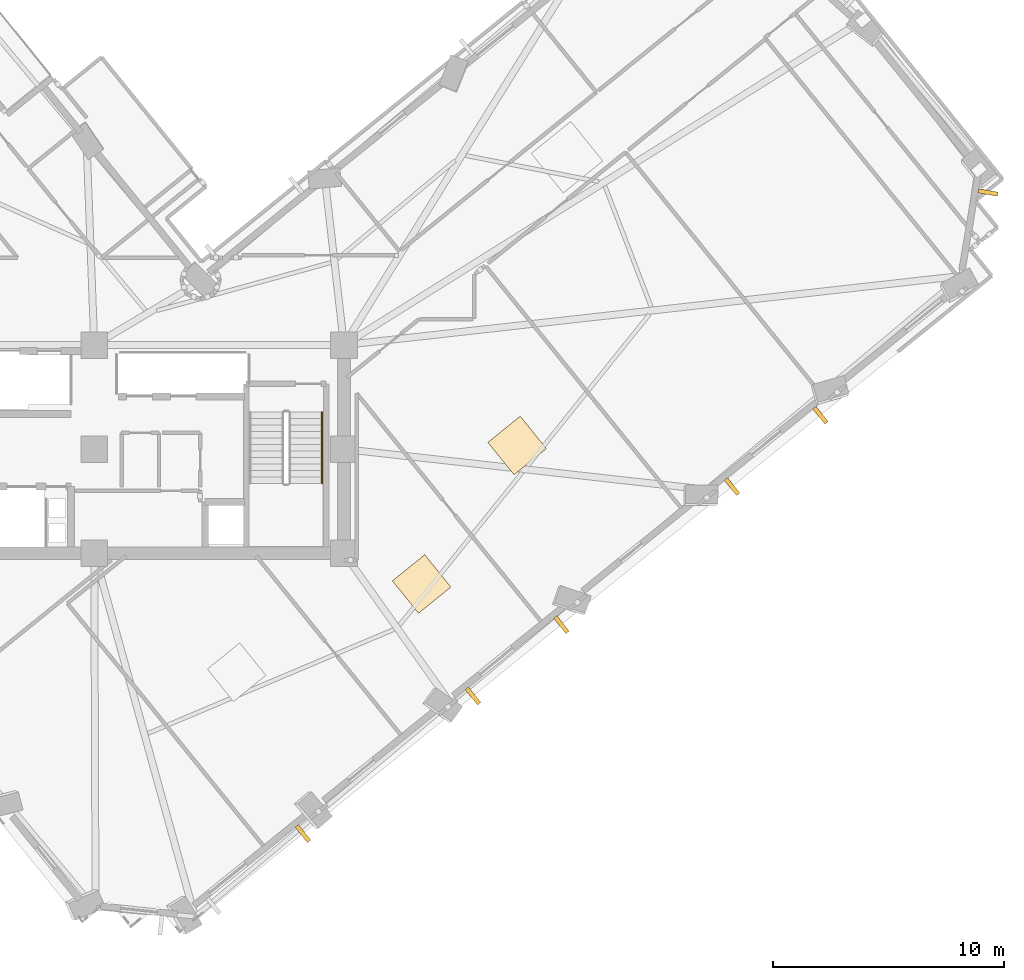
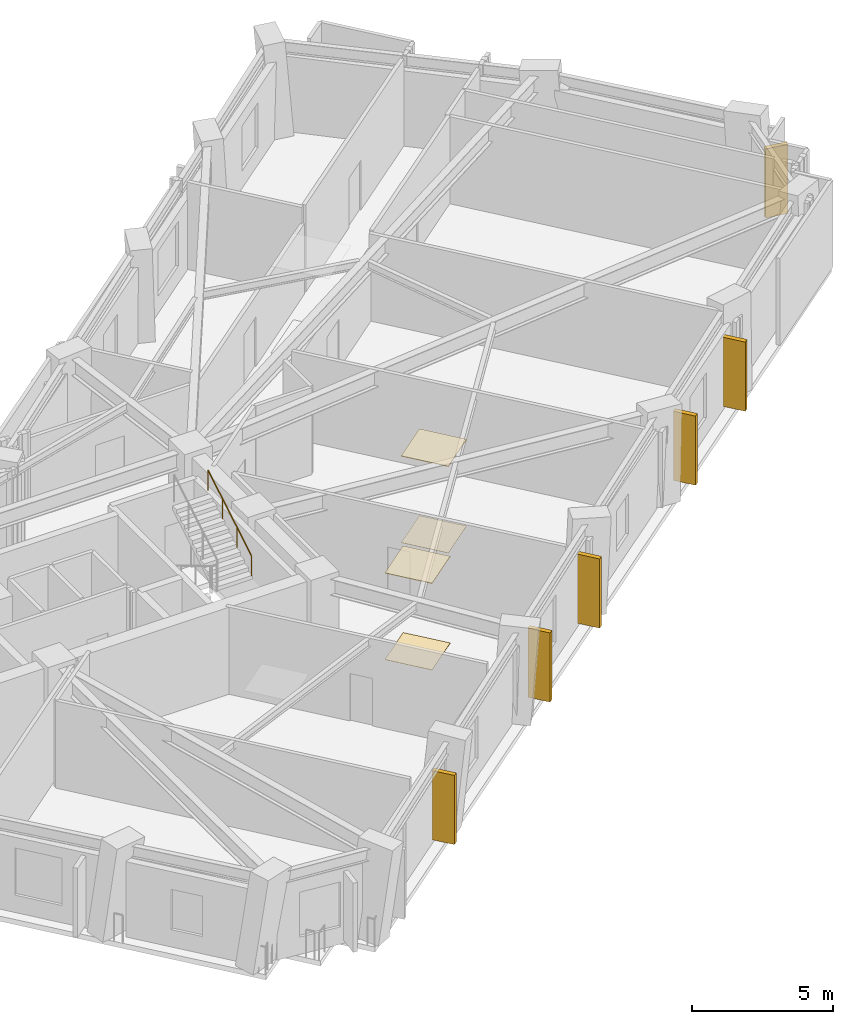
# One storey, part 12 of 14: 6 shading devices, 4 coverings, 1 railing.
"""IFC4 building model written with IfcOpenShell, lengths in metres."""

from ifc_helpers import new_model, si_unit, direction, frame, origin, origin_2d, place, context, subcontext, project, spatial, rectangle, circle, extrude, material, layer, layer_set, type_object, element, save


model = new_model("IFC4")

# Units and contexts
model_context = context("Model", 3, precision=1e-05, world=origin(), true_north=direction((0.0, 1.0)))
body_context = subcontext(model_context, "Body", "Model", "MODEL_VIEW")
ifc_project = project(units=[si_unit("LENGTHUNIT", "METRE"), si_unit("AREAUNIT", "SQUARE_METRE"), si_unit("VOLUMEUNIT", "CUBIC_METRE"), si_unit("PLANEANGLEUNIT", "RADIAN"), si_unit("MASSUNIT", "GRAM", prefix="KILO")], contexts=[model_context])

# Site, building, storey
site_placement = place(None, origin())
site = spatial("IfcSite", under=ifc_project, at=site_placement, CompositionType="ELEMENT")
building_placement = place(site_placement, origin())
building = spatial("IfcBuilding", under=site, at=building_placement, Name="Gaonmaruhae Medical Tower", CompositionType="ELEMENT")
storey_placement = place(building_placement, frame((0.0, 0.0, 189.800048828125)))
storey = spatial("IfcBuildingStorey", under=building, at=storey_placement, Name="L45", CompositionType="ELEMENT", Elevation=189.800048828125)

# Coverings
ifc_material_1 = material(Name="Acoustic mineral ceiling tile", Category="finish")
ifc_layer_1 = layer(ifc_material_1, 0.02490234375)
ifc_layer_set_1 = layer_set([ifc_layer_1], Name="Acoustic mineral ceiling tile")
covering_type_1 = type_object("IfcCoveringType", Name="CLG-01 Antimicrobial Acoustic Mineral Ceiling", PredefinedType="CEILING", material=ifc_layer_set_1)
for number, where, z_axis, x_axis, name in (
    (1, (38.9599609375, 6.465576171875, 3.7548828125), (0.0, 0.0, 1.0), (0.777694851116, 0.628641963719, 0.0), "L45 Clinical Room Acoustic Ceiling 3"),
    (2, (43.08935546875, 12.456298828125, 3.7548828125), (0.0, 0.0, 1.0), (0.777694851116, 0.628641963719, 0.0), "L45 Clinical Room Acoustic Ceiling 4"),
):
    element("IfcCovering", number, at=place(storey_placement, frame(where, z_axis=z_axis, x_axis=x_axis)), inside=storey, type_object=covering_type_1, Name=name, PredefinedType="CEILING", context=body_context, shape_type="SweptSolid", body=[
        extrude(rectangle(XDim=1.800048828125, YDim=1.800048828125, at=origin_2d()), origin(), (0.0, 0.0, 1.0), 0.02490234375),
    ])
ifc_material_2 = material(Name="Seamless clinical vinyl flooring", Category="finish")
ifc_layer_2 = layer(ifc_material_2, 0.014892578125)
ifc_layer_set_2 = layer_set([ifc_layer_2], Name="Seamless clinical vinyl flooring")
covering_type_2 = type_object("IfcCoveringType", Name="FLR-01 Seamless Clinical Antistatic Vinyl Flooring", PredefinedType="FLOORING", material=ifc_layer_set_2)
for number, where, z_axis, x_axis, name in (
    (3, (38.9599609375, 6.465576171875, 0.0), (0.0, 0.0, 1.0), (0.777694851116, 0.628641963719, 0.0), "L45 Clinical Room Vinyl Flooring 3"),
    (4, (43.08935546875, 12.456298828125, 0.0), (0.0, 0.0, 1.0), (0.777694851116, 0.628641963719, 0.0), "L45 Clinical Room Vinyl Flooring 4"),
):
    element("IfcCovering", number, at=place(storey_placement, frame(where, z_axis=z_axis, x_axis=x_axis)), inside=storey, type_object=covering_type_2, Name=name, PredefinedType="FLOORING", context=body_context, shape_type="SweptSolid", body=[
        extrude(rectangle(XDim=1.800048828125, YDim=1.800048828125, at=origin_2d()), origin(), (0.0, 0.0, 1.0), 0.014892578125),
    ])

# Railing
ifc_material_3 = material(Name="Stainless steel 304 handrail", Category="steel")
railing_type = type_object("IfcRailingType", Name="HR-092 Continuous Stainless Steel Stair Handrail", PredefinedType="HANDRAIL", material=ifc_material_3)
railing_placement = place(storey_placement, frame((34.64990234375, 10.820068359375, 2.16650390625)))
element("IfcRailing", 5, at=railing_placement, inside=storey, type_object=railing_type, Name="L45 ST-02 stair handrail 2", PredefinedType="HANDRAIL", context=body_context, shape_type="SweptSolid", body=[
    extrude(circle(Radius=0.02392578125, at=origin_2d()), frame((0.0, 0.0, 0.8759765625), z_axis=(0.0, 0.859260807169, 0.511537745687), x_axis=(-1.0, 0.0, 0.0)), (0.0, 0.0, 1.0), 3.584228515625),
    extrude(circle(Radius=0.02099609375, at=origin_2d()), origin(), (0.0, 0.0, 1.0), 0.851806640625),
    extrude(circle(Radius=0.02099609375, at=origin_2d()), frame((0.0, 1.026611328125, 0.611083984375)), (0.0, 0.0, 1.0), 0.851806640625),
    extrude(circle(Radius=0.02099609375, at=origin_2d()), frame((0.0, 2.05322265625, 1.222412109375)), (0.0, 0.0, 1.0), 0.851806640625),
    extrude(circle(Radius=0.02099609375, at=origin_2d()), frame((0.0, 3.079833984375, 1.83349609375)), (0.0, 0.0, 1.0), 0.851806640625),
])

# Shading devices
ifc_material_4 = material(Name="Pigmented coral precast concrete C45/55", Category="concrete")
shading_device_type = type_object("IfcShadingDeviceType", Name="SD-FIN1 Tower Vertical Coral Precast Shading Fin", PredefinedType="USERDEFINED", material=ifc_material_4)
for number, where, z_axis, x_axis, name in (
    (6, (33.822509765625, -4.331298828125, 0.132568359375), (0.0, 0.0, 1.0), (-0.777694851116, -0.628641963719, 0.0), "L45 Vertical Coral Precast Shading Fin S01"),
    (7, (45.0048828125, 4.7080078125, 0.132568359375), (0.0, 0.0, 1.0), (-0.777694851116, -0.628641963719, 0.0), "L45 Vertical Coral Precast Shading Fin S03"),
    (8, (41.18310546875, 1.618896484375, 0.132568359375), (0.0, 0.0, 1.0), (-0.777694851116, -0.628641963719, 0.0), "L45 Vertical Coral Precast Shading Fin S03B"),
    (9, (56.210205078125, 13.765625, 0.132568359375), (0.0, 0.0, 1.0), (-0.777694851116, -0.628641963719, 0.0), "L45 Vertical Coral Precast Shading Fin S05"),
    (10, (52.38525390625, 10.673828125, 0.132568359375), (0.0, 0.0, 1.0), (-0.777694851116, -0.628641963719, 0.0), "L45 Vertical Coral Precast Shading Fin S05B"),
    (11, (63.451416015625, 23.3974609375, 0.132568359375), (0.0, 0.0, 1.0), (-0.166803164369, -0.985990215142, 0.0), "L45 Vertical Coral Precast Shading Fin S07"),
):
    element("IfcShadingDevice", number, at=place(storey_placement, frame(where, z_axis=z_axis, x_axis=x_axis)), inside=storey, type_object=shading_device_type, Name=name, ObjectType="FIN", PredefinedType="USERDEFINED", context=body_context, shape_type="SweptSolid", body=[
        extrude(rectangle(XDim=0.179931640625, YDim=0.85009765625, at=origin_2d()), origin(), (0.0, 0.0, 1.0), 3.0),
    ])

save(model, "model.ifc")
